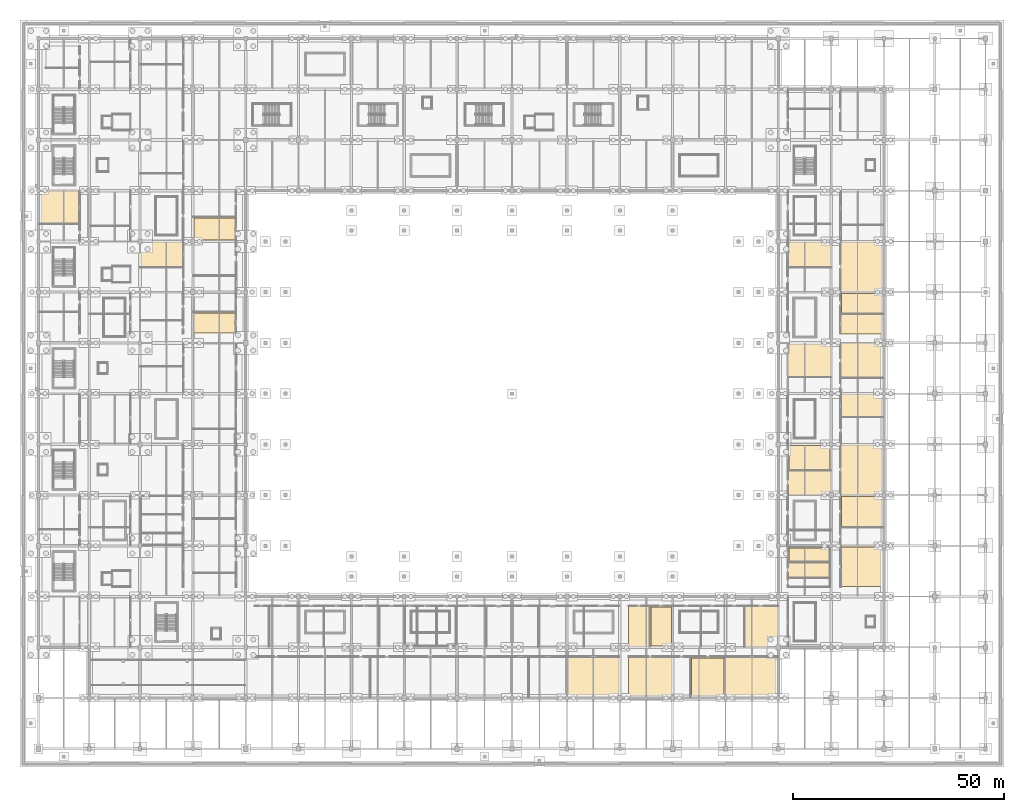
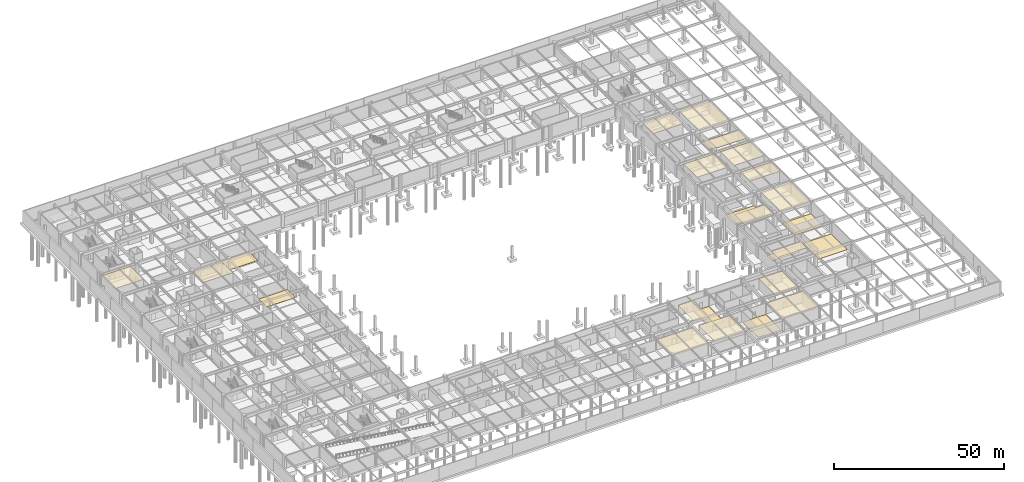
# One storey, part 50 of 56: 25 coverings.
"""IFC4 building model written with IfcOpenShell, lengths in metres."""

from ifc_helpers import new_model, si_unit, direction, frame, origin, place, context, subcontext, project, spatial, polyline, outline, extrude, material, layer, layer_set, type_object, element, save


model = new_model("IFC4")

# Units and contexts
model_context = context("Model", 3, precision=1e-05, world=origin(), true_north=direction((0.0, 1.0)))
body_context = subcontext(model_context, "Body", "Model", "MODEL_VIEW")
ifc_project = project(units=[si_unit("LENGTHUNIT", "METRE"), si_unit("AREAUNIT", "SQUARE_METRE"), si_unit("VOLUMEUNIT", "CUBIC_METRE"), si_unit("PLANEANGLEUNIT", "RADIAN"), si_unit("MASSUNIT", "GRAM", prefix="KILO")], contexts=[model_context])

# Site, building, storey
site_placement = place(None, origin())
site = spatial("IfcSite", under=ifc_project, at=site_placement, CompositionType="ELEMENT")
building_placement = place(site_placement, origin())
building = spatial("IfcBuilding", under=site, at=building_placement, Name="Kazenohara Klinker Stadium", CompositionType="ELEMENT")
storey_placement = place(building_placement, frame((0.0, 0.0, -4.800048828125)))
storey = spatial("IfcBuildingStorey", under=building, at=storey_placement, Name="B01", CompositionType="ELEMENT", Elevation=-4.800048828125)

# Coverings
ifc_material_1 = material(Name="Perforated acoustic mineral-fibre ceiling tile", Category="gypsum")
ifc_layer_1 = layer(ifc_material_1, 0.030029296875)
ifc_layer_set_1 = layer_set([ifc_layer_1], Name="Perforated acoustic mineral-fibre ceiling tile")
covering_type_1 = type_object("IfcCoveringType", Name="COV-CEIL-01", PredefinedType="CEILING", material=ifc_layer_set_1)
covering_1_placement = place(storey_placement, frame((0.0, 0.0, 3.75)))
element("IfcCovering", 1, at=covering_1_placement, inside=storey, type_object=covering_type_1, Name="Suspended acoustic ceiling CL01 Doping Control Medical Laboratory B01-0010B", PredefinedType="CEILING", context=body_context, shape_type="SweptSolid", body=[
    extrude(outline(polyline([(0.06005859375, 124.04443359375), (9.7900390625, 124.04443359375), (9.7900390625, 131.9599609375), (0.06005859375, 131.9599609375), (0.06005859375, 124.04443359375)])), origin(), (0.0, 0.0, 1.0), 0.030029296875),
])
covering_2_placement = place(storey_placement, frame((0.0, 0.0, 3.75)))
element("IfcCovering", 2, at=covering_2_placement, inside=storey, type_object=covering_type_1, Name="Suspended acoustic ceiling CL01 Match Officials Dressing Room B01-0209B", PredefinedType="CEILING", context=body_context, shape_type="SweptSolid", body=[
    extrude(outline(polyline([(24.06005859375, 113.784912109375), (34.2900390625, 113.784912109375), (34.2900390625, 119.9599609375), (24.06005859375, 119.9599609375), (24.06005859375, 113.784912109375)])), origin(), (0.0, 0.0, 1.0), 0.030029296875),
])
covering_3_placement = place(storey_placement, frame((0.0, 0.0, 3.75)))
element("IfcCovering", 3, at=covering_3_placement, inside=storey, type_object=covering_type_1, Name="Suspended acoustic ceiling CL01 First-Team Athlete Changing Room B01-1001A", PredefinedType="CEILING", context=body_context, shape_type="SweptSolid", body=[
    extrude(outline(polyline([(125.0400390625, 12.06005859375), (137.4599609375, 12.06005859375), (137.4599609375, 21.7900390625), (125.0400390625, 21.7900390625), (125.0400390625, 12.06005859375)])), origin(), (0.0, 0.0, 1.0), 0.030029296875),
])
covering_4_placement = place(storey_placement, frame((0.0, 0.0, 3.75)))
element("IfcCovering", 4, at=covering_4_placement, inside=storey, type_object=covering_type_1, Name="Suspended acoustic ceiling CL01 Indoor Turf Sprint Training Arena B01-1102A", PredefinedType="CEILING", context=body_context, shape_type="SweptSolid", body=[
    extrude(outline(polyline([(139.550048828125, 24.06005859375), (144.642333984375, 24.06005859375), (144.642333984375, 33.7900390625), (139.550048828125, 33.7900390625), (139.550048828125, 24.06005859375)])), origin(), (0.0, 0.0, 1.0), 0.030029296875),
])
covering_5_placement = place(storey_placement, frame((0.0, 0.0, 3.75)))
element("IfcCovering", 5, at=covering_5_placement, inside=storey, type_object=covering_type_1, Name="Suspended acoustic ceiling CL01 First-Team Athlete Changing Room B01-1302B", PredefinedType="CEILING", context=body_context, shape_type="SweptSolid", body=[
    extrude(outline(polyline([(166.931640625, 24.06005859375), (174.9599609375, 24.06005859375), (174.9599609375, 33.7900390625), (166.931640625, 33.7900390625), (166.931640625, 24.06005859375)])), origin(), (0.0, 0.0, 1.0), 0.030029296875),
])
covering_6_placement = place(storey_placement, frame((0.0, 0.0, 3.75)))
element("IfcCovering", 6, at=covering_6_placement, inside=storey, type_object=covering_type_1, Name="Suspended acoustic ceiling CL01 Doping Control Medical Laboratory B01-1405A", PredefinedType="CEILING", context=body_context, shape_type="SweptSolid", body=[
    extrude(outline(polyline([(177.2099609375, 60.0400390625), (187.43994140625, 60.0400390625), (187.43994140625, 65.86474609375), (177.2099609375, 65.86474609375), (177.2099609375, 60.0400390625)])), origin(), (0.0, 0.0, 1.0), 0.030029296875),
])
covering_7_placement = place(storey_placement, frame((0.0, 0.0, 3.75)))
element("IfcCovering", 7, at=covering_7_placement, inside=storey, type_object=covering_type_1, Name="Suspended acoustic ceiling CL01 Doping Control Medical Laboratory B01-1409B", PredefinedType="CEILING", context=body_context, shape_type="SweptSolid", body=[
    extrude(outline(polyline([(177.2099609375, 113.784912109375), (187.43994140625, 113.784912109375), (187.43994140625, 119.9599609375), (177.2099609375, 119.9599609375), (177.2099609375, 113.784912109375)])), origin(), (0.0, 0.0, 1.0), 0.030029296875),
])
covering_8_placement = place(storey_placement, frame((0.0, 0.0, 3.75)))
element("IfcCovering", 8, at=covering_8_placement, inside=storey, type_object=covering_type_1, Name="Suspended acoustic ceiling CL01 Match Officials Dressing Room B01-1505A", PredefinedType="CEILING", context=body_context, shape_type="SweptSolid", body=[
    extrude(outline(polyline([(189.7099609375, 60.0400390625), (199.93994140625, 60.0400390625), (199.93994140625, 71.9599609375), (189.7099609375, 71.9599609375), (189.7099609375, 60.0400390625)])), origin(), (0.0, 0.0, 1.0), 0.030029296875),
])
covering_9_placement = place(storey_placement, frame((0.0, 0.0, 3.75)))
element("IfcCovering", 9, at=covering_9_placement, inside=storey, type_object=covering_type_1, Name="Suspended acoustic ceiling CL01 Sports Hydrotherapy Recovery Clinic B01-1507B", PredefinedType="CEILING", context=body_context, shape_type="SweptSolid", body=[
    extrude(outline(polyline([(189.7099609375, 87.6240234375), (199.93994140625, 87.6240234375), (199.93994140625, 95.9599609375), (189.7099609375, 95.9599609375), (189.7099609375, 87.6240234375)])), origin(), (0.0, 0.0, 1.0), 0.030029296875),
])
covering_10_placement = place(storey_placement, frame((0.0, 0.0, 3.75)))
element("IfcCovering", 10, at=covering_10_placement, inside=storey, type_object=covering_type_1, Name="Suspended acoustic ceiling CL01 Indoor Turf Sprint Training Arena B01-1509A", PredefinedType="CEILING", context=body_context, shape_type="SweptSolid", body=[
    extrude(outline(polyline([(189.7099609375, 108.0400390625), (199.93994140625, 108.0400390625), (199.93994140625, 119.9599609375), (189.7099609375, 119.9599609375), (189.7099609375, 108.0400390625)])), origin(), (0.0, 0.0, 1.0), 0.030029296875),
])
ifc_material_2 = material(Name="Slatted Hokkaido cedar acoustic baffle ceiling", Category="wood")
ifc_layer_2 = layer(ifc_material_2, 0.0400390625)
ifc_layer_set_2 = layer_set([ifc_layer_2], Name="Slatted Hokkaido cedar acoustic baffle ceiling")
covering_type_2 = type_object("IfcCoveringType", Name="COV-CEIL-02", PredefinedType="CEILING", material=ifc_layer_set_2)
covering_11_placement = place(storey_placement, frame((0.0, 0.0, 3.739990234375)))
element("IfcCovering", 11, at=covering_11_placement, inside=storey, type_object=covering_type_2, Name="Suspended acoustic ceiling CL02 Mixed Zone Broadcast Interview Studio B01-1101A", PredefinedType="CEILING", context=body_context, shape_type="SweptSolid", body=[
    extrude(outline(polyline([(139.550048828125, 12.06005859375), (149.9599609375, 12.06005859375), (149.9599609375, 21.7900390625), (139.550048828125, 21.7900390625), (139.550048828125, 12.06005859375)])), origin(), (0.0, 0.0, 1.0), 0.0400390625),
])
covering_12_placement = place(storey_placement, frame((0.0, 0.0, 3.739990234375)))
element("IfcCovering", 12, at=covering_12_placement, inside=storey, type_object=covering_type_2, Name="Suspended acoustic ceiling CL02 Match Officials Dressing Room B01-1301A", PredefinedType="CEILING", context=body_context, shape_type="SweptSolid", body=[
    extrude(outline(polyline([(162.5400390625, 12.06005859375), (174.9599609375, 12.06005859375), (174.9599609375, 21.7900390625), (162.5400390625, 21.7900390625), (162.5400390625, 12.06005859375)])), origin(), (0.0, 0.0, 1.0), 0.0400390625),
])
covering_13_placement = place(storey_placement, frame((0.0, 0.0, 3.739990234375)))
element("IfcCovering", 13, at=covering_13_placement, inside=storey, type_object=covering_type_2, Name="Suspended acoustic ceiling CL02 Water Closet Restroom Male B01-1403B", PredefinedType="CEILING", context=body_context, shape_type="SweptSolid", body=[
    extrude(outline(polyline([(177.219970703125, 40.350341796875), (187.280029296875, 40.350341796875), (187.280029296875, 44.145263671875), (177.219970703125, 44.145263671875), (177.219970703125, 40.350341796875)])), origin(), (0.0, 0.0, 1.0), 0.0400390625),
])
covering_14_placement = place(storey_placement, frame((0.0, 0.0, 3.739990234375)))
element("IfcCovering", 14, at=covering_14_placement, inside=storey, type_object=covering_type_2, Name="Suspended acoustic ceiling CL02 Match Officials Dressing Room B01-1407B", PredefinedType="CEILING", context=body_context, shape_type="SweptSolid", body=[
    extrude(outline(polyline([(177.2099609375, 87.834228515625), (187.43994140625, 87.834228515625), (187.43994140625, 95.9599609375), (177.2099609375, 95.9599609375), (177.2099609375, 87.834228515625)])), origin(), (0.0, 0.0, 1.0), 0.0400390625),
])
covering_15_placement = place(storey_placement, frame((0.0, 0.0, 3.739990234375)))
element("IfcCovering", 15, at=covering_15_placement, inside=storey, type_object=covering_type_2, Name="Suspended acoustic ceiling CL02 Indoor Turf Sprint Training Arena B01-1506B", PredefinedType="CEILING", context=body_context, shape_type="SweptSolid", body=[
    extrude(outline(polyline([(189.7099609375, 78.368896484375), (199.93994140625, 78.368896484375), (199.93994140625, 83.9599609375), (189.7099609375, 83.9599609375), (189.7099609375, 78.368896484375)])), origin(), (0.0, 0.0, 1.0), 0.0400390625),
])
covering_16_placement = place(storey_placement, frame((0.0, 0.0, 3.739990234375)))
element("IfcCovering", 16, at=covering_16_placement, inside=storey, type_object=covering_type_2, Name="Suspended acoustic ceiling CL02 Mixed Zone Broadcast Interview Studio B01-1508A", PredefinedType="CEILING", context=body_context, shape_type="SweptSolid", body=[
    extrude(outline(polyline([(189.7099609375, 98.050048828125), (199.93994140625, 98.050048828125), (199.93994140625, 102.89990234375), (189.7099609375, 102.89990234375), (189.7099609375, 98.050048828125)])), origin(), (0.0, 0.0, 1.0), 0.0400390625),
])
ifc_material_3 = material(Name="Slip-resistant honed basalt terrazzo flooring", Category="masonry")
ifc_layer_3 = layer(ifc_material_3, 0.02001953125)
ifc_layer_set_3 = layer_set([ifc_layer_3], Name="Slip-resistant honed basalt terrazzo flooring")
covering_type_3 = type_object("IfcCoveringType", Name="COV-FLR-01", PredefinedType="FLOORING", material=ifc_layer_set_3)
covering_17_placement = place(storey_placement, origin())
element("IfcCovering", 17, at=covering_17_placement, inside=storey, type_object=covering_type_3, Name="Interior floor finish FL01 Sports Hydrotherapy Recovery Clinic B01-0310A", PredefinedType="FLOORING", context=body_context, shape_type="SweptSolid", body=[
    extrude(outline(polyline([(36.830078125, 120.31005859375), (46.52001953125, 120.31005859375), (46.52001953125, 125.5947265625), (36.830078125, 125.5947265625), (36.830078125, 120.31005859375)])), origin(), (0.0, 0.0, 1.0), 0.02001953125),
])
covering_18_placement = place(storey_placement, origin())
element("IfcCovering", 18, at=covering_18_placement, inside=storey, type_object=covering_type_3, Name="Interior floor finish FL01 Doping Control Medical Laboratory B01-1201B", PredefinedType="FLOORING", context=body_context, shape_type="SweptSolid", body=[
    extrude(outline(polyline([(154.482421875, 12.330078125), (162.18994140625, 12.330078125), (162.18994140625, 21.52001953125), (154.482421875, 21.52001953125), (154.482421875, 12.330078125)])), origin(), (0.0, 0.0, 1.0), 0.02001953125),
])
covering_19_placement = place(storey_placement, origin())
element("IfcCovering", 19, at=covering_19_placement, inside=storey, type_object=covering_type_3, Name="Interior floor finish FL01 First-Team Athlete Changing Room B01-1405B", PredefinedType="FLOORING", context=body_context, shape_type="SweptSolid", body=[
    extrude(outline(polyline([(177.47998046875, 66.0546875), (187.169921875, 66.0546875), (187.169921875, 71.68994140625), (177.47998046875, 71.68994140625), (177.47998046875, 66.0546875)])), origin(), (0.0, 0.0, 1.0), 0.02001953125),
])
covering_20_placement = place(storey_placement, origin())
element("IfcCovering", 20, at=covering_20_placement, inside=storey, type_object=covering_type_3, Name="Interior floor finish FL01 Doping Control Medical Laboratory B01-1503A", PredefinedType="FLOORING", context=body_context, shape_type="SweptSolid", body=[
    extrude(outline(polyline([(189.97998046875, 38.320068359375), (199.669921875, 38.320068359375), (199.669921875, 47.68994140625), (189.97998046875, 47.68994140625), (189.97998046875, 38.320068359375)])), origin(), (0.0, 0.0, 1.0), 0.02001953125),
])
covering_21_placement = place(storey_placement, origin())
element("IfcCovering", 21, at=covering_21_placement, inside=storey, type_object=covering_type_3, Name="Interior floor finish FL01 Visiting-Club Athlete Changing Room B01-1508B", PredefinedType="FLOORING", context=body_context, shape_type="SweptSolid", body=[
    extrude(outline(polyline([(189.97998046875, 103.08984375), (199.669921875, 103.08984375), (199.669921875, 107.68994140625), (189.97998046875, 107.68994140625), (189.97998046875, 103.08984375)])), origin(), (0.0, 0.0, 1.0), 0.02001953125),
])
ifc_material_4 = material(Name="Cushioned EPDM sports rubber flooring", Category="rubber")
ifc_layer_4 = layer(ifc_material_4, 0.014892578125)
ifc_layer_set_4 = layer_set([ifc_layer_4], Name="Cushioned EPDM sports rubber flooring")
covering_type_4 = type_object("IfcCoveringType", Name="COV-FLR-02", PredefinedType="FLOORING", material=ifc_layer_set_4)
covering_22_placement = place(storey_placement, origin())
element("IfcCovering", 22, at=covering_22_placement, inside=storey, type_object=covering_type_4, Name="Interior floor finish FL02 Match Officials Dressing Room B01-0308A", PredefinedType="FLOORING", context=body_context, shape_type="SweptSolid", body=[
    extrude(outline(polyline([(36.830078125, 98.320068359375), (46.52001953125, 98.320068359375), (46.52001953125, 103.113525390625), (36.830078125, 103.113525390625), (36.830078125, 98.320068359375)])), origin(), (0.0, 0.0, 1.0), 0.01513671875),
])
covering_23_placement = place(storey_placement, origin())
element("IfcCovering", 23, at=covering_23_placement, inside=storey, type_object=covering_type_4, Name="Interior floor finish FL02 Match Officials Dressing Room B01-1102B", PredefinedType="FLOORING", context=body_context, shape_type="SweptSolid", body=[
    extrude(outline(polyline([(144.83251953125, 24.330078125), (149.68994140625, 24.330078125), (149.68994140625, 33.52001953125), (144.83251953125, 33.52001953125), (144.83251953125, 24.330078125)])), origin(), (0.0, 0.0, 1.0), 0.01513671875),
])
covering_24_placement = place(storey_placement, origin())
element("IfcCovering", 24, at=covering_24_placement, inside=storey, type_object=covering_type_4, Name="Interior floor finish FL02 Water Closet Restroom Female B01-1403C", PredefinedType="FLOORING", context=body_context, shape_type="SweptSolid", body=[
    extrude(outline(polyline([(177.489990234375, 44.335205078125), (187.010009765625, 44.335205078125), (187.010009765625, 47.510009765625), (177.489990234375, 47.510009765625), (177.489990234375, 44.335205078125)])), origin(), (0.0, 0.0, 1.0), 0.01513671875),
])
covering_25_placement = place(storey_placement, origin())
element("IfcCovering", 25, at=covering_25_placement, inside=storey, type_object=covering_type_4, Name="Interior floor finish FL02 Visiting-Club Athlete Changing Room B01-1504B", PredefinedType="FLOORING", context=body_context, shape_type="SweptSolid", body=[
    extrude(outline(polyline([(189.97998046875, 52.524658203125), (199.669921875, 52.524658203125), (199.669921875, 59.68994140625), (189.97998046875, 59.68994140625), (189.97998046875, 52.524658203125)])), origin(), (0.0, 0.0, 1.0), 0.01513671875),
])

save(model, "model.ifc")
